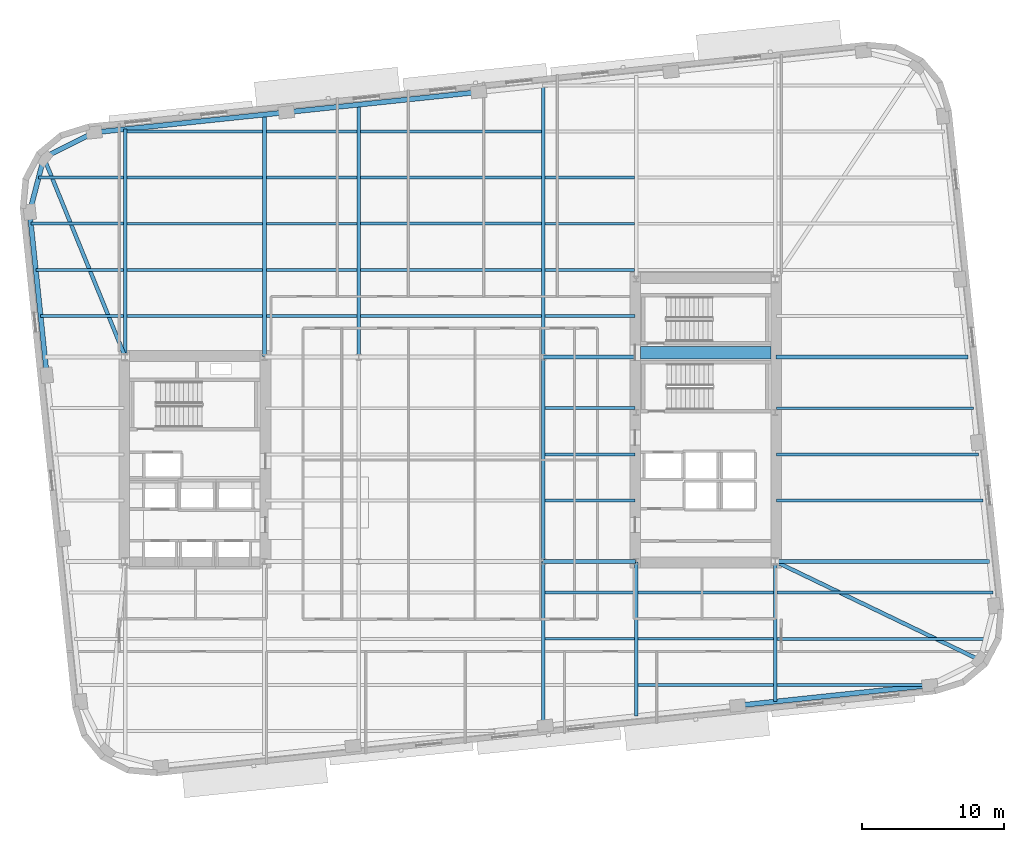
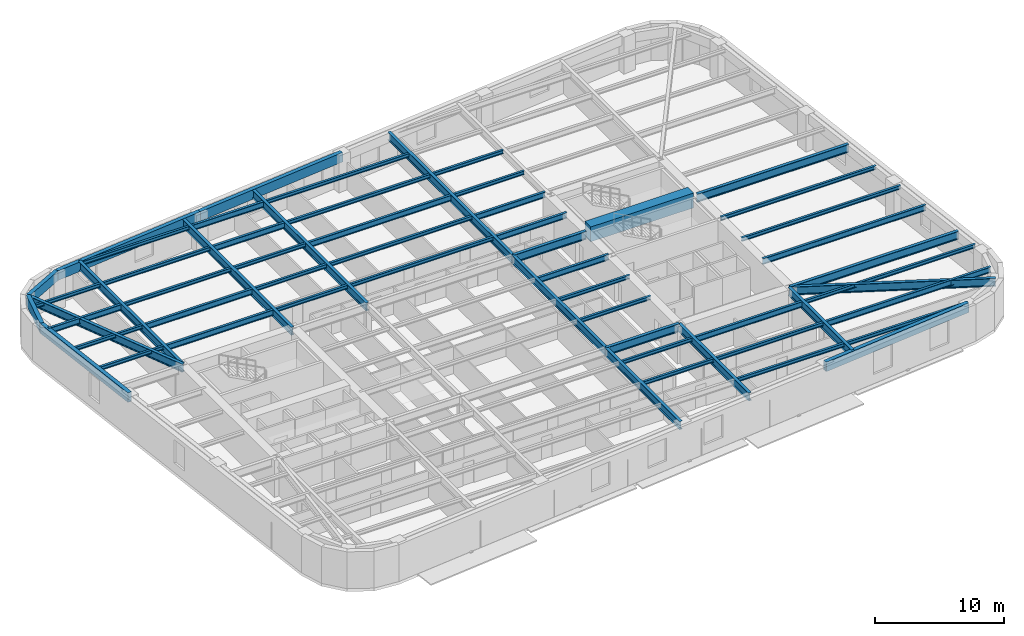
# One storey, part 2 of 13: 58 beams.
"""IFC4 building model written with IfcOpenShell, lengths in metres."""

from ifc_helpers import new_model, si_unit, direction, frame, origin, origin_2d, place, context, subcontext, project, spatial, rectangle, hollow_rectangle, i_section, extrude, material, material_profile, profile_set, type_object, element, save


model = new_model("IFC4")

# Units and contexts
model_context = context("Model", 3, precision=1e-05, world=origin(), true_north=direction((0.0, 1.0)))
body_context = subcontext(model_context, "Body", "Model", "MODEL_VIEW")
ifc_project = project(units=[si_unit("LENGTHUNIT", "METRE"), si_unit("AREAUNIT", "SQUARE_METRE"), si_unit("VOLUMEUNIT", "CUBIC_METRE"), si_unit("PLANEANGLEUNIT", "RADIAN"), si_unit("MASSUNIT", "GRAM", prefix="KILO")], contexts=[model_context])

# Site, building, storey
site_placement = place(None, origin())
site = spatial("IfcSite", under=ifc_project, at=site_placement, CompositionType="ELEMENT")
building_placement = place(site_placement, origin())
building = spatial("IfcBuilding", under=site, at=building_placement, Name="Kolvaren Arena Tower", CompositionType="ELEMENT")
storey_placement = place(building_placement, frame((0.0, 0.0, 145.75)))
storey = spatial("IfcBuildingStorey", under=building, at=storey_placement, Name="L34", CompositionType="ELEMENT", Elevation=145.75)

# Beams
ifc_material_1 = material(Name="Steel CSA G40.21 350W", Category="steel")
ifc_material_profile_1 = material_profile(ifc_material_1, i_section(OverallWidth=0.2119140625, OverallDepth=0.54296875, WebThickness=0.01318359375, FlangeThickness=0.0244140625, FilletRadius=0.013916015625, at=origin_2d()), Name="W530x150")
ifc_profile_set_1 = profile_set([ifc_material_profile_1], Name="Steel CSA G40.21 350W")
beam_type_1 = type_object("IfcBeamType", Name="BEAM-F1", PredefinedType="BEAM", material=ifc_profile_set_1)
beam_1_placement = place(storey_placement, frame((60.485107421875, 14.0, 3.20849609375), z_axis=(1.0, 0.0, 0.0), x_axis=(0.0, 1.0, 0.0)))
element("IfcBeam", 1, at=beam_1_placement, inside=storey, type_object=beam_type_1, Name="Composite Floor Beam (L34)", PredefinedType="BEAM", context=body_context, shape_type="SweptSolid", body=[
    extrude(i_section(OverallWidth=0.2119140625, OverallDepth=0.54296875, WebThickness=0.01318359375, FlangeThickness=0.0244140625, FilletRadius=0.013916015625, at=origin_2d()), origin(), (0.0, 0.0, 1.0), 14.69677734375),
])
beam_2_placement = place(storey_placement, frame((50.68505859375, 17.25, 3.20849609375), z_axis=(1.0, 0.0, 0.0), x_axis=(0.0, 1.0, 0.0)))
element("IfcBeam", 2, at=beam_2_placement, inside=storey, type_object=beam_type_1, Name="Composite Floor Beam (L34)", PredefinedType="BEAM", context=body_context, shape_type="SweptSolid", body=[
    extrude(i_section(OverallWidth=0.2119140625, OverallDepth=0.54296875, WebThickness=0.01318359375, FlangeThickness=0.0244140625, FilletRadius=0.013916015625, at=origin_2d()), origin(), (0.0, 0.0, 1.0), 9.530029296875),
])
beam_3_placement = place(storey_placement, frame((60.445068359375, 23.75, 3.20849609375), z_axis=(1.0, 0.0, 0.0), x_axis=(0.0, 1.0, 0.0)))
element("IfcBeam", 3, at=beam_3_placement, inside=storey, type_object=beam_type_1, Name="Composite Floor Beam (L34)", PredefinedType="BEAM", context=body_context, shape_type="SweptSolid", body=[
    extrude(i_section(OverallWidth=0.2119140625, OverallDepth=0.54296875, WebThickness=0.01318359375, FlangeThickness=0.0244140625, FilletRadius=0.013916015625, at=origin_2d()), origin(), (0.0, 0.0, 1.0), 14.56103515625),
])
beam_4_placement = place(storey_placement, frame((44.135009765625, 30.25, 3.20849609375), z_axis=(1.0, 0.0, 0.0), x_axis=(0.0, 1.0, 0.0)))
element("IfcBeam", 4, at=beam_4_placement, inside=storey, type_object=beam_type_1, Name="Composite Floor Beam (L34)", PredefinedType="BEAM", context=body_context, shape_type="SweptSolid", body=[
    extrude(i_section(OverallWidth=0.2119140625, OverallDepth=0.54296875, WebThickness=0.01318359375, FlangeThickness=0.0244140625, FilletRadius=0.013916015625, at=origin_2d()), origin(), (0.0, 0.0, 1.0), 6.320068359375),
])
beam_5_placement = place(storey_placement, frame((14.68505859375, 36.75, 3.20849609375), z_axis=(1.0, 0.0, 0.0), x_axis=(0.0, 1.0, 0.0)))
element("IfcBeam", 5, at=beam_5_placement, inside=storey, type_object=beam_type_1, Name="Composite Floor Beam (L34)", PredefinedType="BEAM", context=body_context, shape_type="SweptSolid", body=[
    extrude(i_section(OverallWidth=0.2119140625, OverallDepth=0.54296875, WebThickness=0.01318359375, FlangeThickness=0.0244140625, FilletRadius=0.013916015625, at=origin_2d()), origin(), (0.0, 0.0, 1.0), 9.530029296875),
])
beam_6_placement = place(storey_placement, frame((44.135009765625, 36.75, 3.20849609375), z_axis=(1.0, 0.0, 0.0), x_axis=(0.0, 1.0, 0.0)))
element("IfcBeam", 6, at=beam_6_placement, inside=storey, type_object=beam_type_1, Name="Composite Floor Beam (L34)", PredefinedType="BEAM", context=body_context, shape_type="SweptSolid", body=[
    extrude(i_section(OverallWidth=0.2119140625, OverallDepth=0.54296875, WebThickness=0.01318359375, FlangeThickness=0.0244140625, FilletRadius=0.013916015625, at=origin_2d()), origin(), (0.0, 0.0, 1.0), 6.320068359375),
])
beam_7_placement = place(storey_placement, frame((14.68505859375, 40.0, 3.20849609375), z_axis=(1.0, 0.0, 0.0), x_axis=(0.0, 1.0, 0.0)))
element("IfcBeam", 7, at=beam_7_placement, inside=storey, type_object=beam_type_1, Name="Composite Floor Beam (L34)", PredefinedType="BEAM", context=body_context, shape_type="SweptSolid", body=[
    extrude(i_section(OverallWidth=0.2119140625, OverallDepth=0.54296875, WebThickness=0.01318359375, FlangeThickness=0.0244140625, FilletRadius=0.013916015625, at=origin_2d()), origin(), (0.0, 0.0, 1.0), 9.530029296875),
])
beam_8_placement = place(storey_placement, frame((44.135009765625, 40.0, 3.20849609375), z_axis=(1.0, 0.0, 0.0), x_axis=(0.0, 1.0, 0.0)))
element("IfcBeam", 8, at=beam_8_placement, inside=storey, type_object=beam_type_1, Name="Composite Floor Beam (L34)", PredefinedType="BEAM", context=body_context, shape_type="SweptSolid", body=[
    extrude(i_section(OverallWidth=0.2119140625, OverallDepth=0.54296875, WebThickness=0.01318359375, FlangeThickness=0.0244140625, FilletRadius=0.013916015625, at=origin_2d()), origin(), (0.0, 0.0, 1.0), 6.280029296875),
])
beam_9_placement = place(storey_placement, frame((7.900146484375, 43.25, 3.20849609375), z_axis=(1.0, 0.0, 0.0), x_axis=(0.0, 1.0, 0.0)))
element("IfcBeam", 9, at=beam_9_placement, inside=storey, type_object=beam_type_1, Name="Composite Floor Beam (L34)", PredefinedType="BEAM", context=body_context, shape_type="SweptSolid", body=[
    extrude(i_section(OverallWidth=0.2119140625, OverallDepth=0.54296875, WebThickness=0.01318359375, FlangeThickness=0.0244140625, FilletRadius=0.013916015625, at=origin_2d()), origin(), (0.0, 0.0, 1.0), 6.514892578125),
])
beam_10_placement = place(storey_placement, frame((31.135009765625, 43.25, 3.20849609375), z_axis=(1.0, 0.0, 0.0), x_axis=(0.0, 1.0, 0.0)))
element("IfcBeam", 10, at=beam_10_placement, inside=storey, type_object=beam_type_1, Name="Composite Floor Beam (L34)", PredefinedType="BEAM", context=body_context, shape_type="SweptSolid", body=[
    extrude(i_section(OverallWidth=0.2119140625, OverallDepth=0.54296875, WebThickness=0.01318359375, FlangeThickness=0.0244140625, FilletRadius=0.013916015625, at=origin_2d()), origin(), (0.0, 0.0, 1.0), 12.72998046875),
])
for number, where, z_axis, x_axis, name in (
    (11, (24.485107421875, 46.5, 3.20849609375), (1.0, 0.0, 0.0), (0.0, 1.0, 0.0), "Composite Floor Beam (L34)"),
    (12, (24.485107421875, 49.75, 3.20849609375), (1.0, 0.0, 0.0), (0.0, 1.0, 0.0), "Composite Floor Beam (L34)"),
):
    element("IfcBeam", number, at=place(storey_placement, frame(where, z_axis=z_axis, x_axis=x_axis)), inside=storey, type_object=beam_type_1, Name=name, PredefinedType="BEAM", context=body_context, shape_type="SweptSolid", body=[
        extrude(i_section(OverallWidth=0.2119140625, OverallDepth=0.54296875, WebThickness=0.01318359375, FlangeThickness=0.0244140625, FilletRadius=0.013916015625, at=origin_2d()), origin(), (0.0, 0.0, 1.0), 6.3798828125),
    ])
ifc_material_2 = material(Name="Concrete 75 MPa", Category="concrete")
ifc_material_profile_2 = material_profile(ifc_material_2, rectangle(XDim=0.89990234375, YDim=1.39990234375, at=origin_2d()), Name="RC-900x1400")
ifc_profile_set_2 = profile_set([ifc_material_profile_2], Name="Concrete 75 MPa")
beam_type_2 = type_object("IfcBeamType", Name="CB-CORE-1", PredefinedType="BEAM", material=ifc_profile_set_2)
beam_11_placement = place(storey_placement, frame((50.85009765625, 34.14990234375, 3.050048828125), z_axis=(1.0, 0.0, 0.0), x_axis=(0.0, 1.0, 0.0)))
element("IfcBeam", 13, at=beam_11_placement, inside=storey, type_object=beam_type_2, Name="East Core Coupling Beam (L34)", PredefinedType="BEAM", context=body_context, shape_type="SweptSolid", body=[
    extrude(rectangle(XDim=0.89990234375, YDim=1.39990234375, at=origin_2d()), origin(), (0.0, 0.0, 1.0), 9.199951171875),
])
ifc_material_profile_3 = material_profile(ifc_material_1, i_section(OverallWidth=0.27001953125, OverallDepth=0.77294921875, WebThickness=0.019287109375, FlangeThickness=0.033447265625, FilletRadius=0.01806640625, at=origin_2d()), Name="W760x257")
ifc_profile_set_3 = profile_set([ifc_material_profile_3], Name="Steel CSA G40.21 350W")
beam_type_3 = type_object("IfcBeamType", Name="GIRD-T1", PredefinedType="BEAM", material=ifc_profile_set_3)
beam_12_placement = place(storey_placement, frame((74.790283203125, 12.49267578125, 3.093505859375), z_axis=(-0.900889626424, 0.43404824732, 0.0), x_axis=(-0.43404824732, -0.900889626424, 0.0)))
element("IfcBeam", 14, at=beam_12_placement, inside=storey, type_object=beam_type_3, Name="Corner Diagonal Tie Girder (L34)", PredefinedType="BEAM", context=body_context, shape_type="SweptSolid", body=[
    extrude(i_section(OverallWidth=0.27001953125, OverallDepth=0.77294921875, WebThickness=0.019287109375, FlangeThickness=0.033447265625, FilletRadius=0.01806640625, at=origin_2d()), origin(), (0.0, 0.0, 1.0), 16.02880859375),
])
beam_13_placement = place(storey_placement, frame((8.8095703125, 47.9072265625, 3.093505859375), z_axis=(0.378059288681, -0.925781385772, 0.0), x_axis=(0.925781385772, 0.378059288681, 0.0)))
element("IfcBeam", 15, at=beam_13_placement, inside=storey, type_object=beam_type_3, Name="Corner Diagonal Tie Girder (L34)", PredefinedType="BEAM", context=body_context, shape_type="SweptSolid", body=[
    extrude(i_section(OverallWidth=0.27001953125, OverallDepth=0.77294921875, WebThickness=0.019287109375, FlangeThickness=0.033447265625, FilletRadius=0.01806640625, at=origin_2d()), origin(), (0.0, 0.0, 1.0), 15.18408203125),
])
beam_14_placement = place(storey_placement, frame((44.0, 19.449951171875, 3.093505859375), z_axis=(1.0, 0.0, 0.0), x_axis=(0.0, 1.0, 0.0)))
element("IfcBeam", 16, at=beam_14_placement, inside=storey, type_object=beam_type_3, Name="Primary Floor Girder (L34)", PredefinedType="BEAM", context=body_context, shape_type="SweptSolid", body=[
    extrude(i_section(OverallWidth=0.27001953125, OverallDepth=0.77294921875, WebThickness=0.019287109375, FlangeThickness=0.033447265625, FilletRadius=0.01806640625, at=origin_2d()), origin(), (0.0, 0.0, 1.0), 6.4951171875),
])
beam_15_placement = place(storey_placement, frame((60.405029296875, 19.449951171875, 3.093505859375), z_axis=(1.0, 0.0, 0.0), x_axis=(0.0, 1.0, 0.0)))
element("IfcBeam", 17, at=beam_15_placement, inside=storey, type_object=beam_type_3, Name="Primary Floor Girder (L34)", PredefinedType="BEAM", context=body_context, shape_type="SweptSolid", body=[
    extrude(i_section(OverallWidth=0.27001953125, OverallDepth=0.77294921875, WebThickness=0.019287109375, FlangeThickness=0.033447265625, FilletRadius=0.01806640625, at=origin_2d()), origin(), (0.0, 0.0, 1.0), 15.052978515625),
])
beam_16_placement = place(storey_placement, frame((44.0, 33.85009765625, 3.093505859375), z_axis=(1.0, 0.0, 0.0), x_axis=(0.0, 1.0, 0.0)))
element("IfcBeam", 18, at=beam_16_placement, inside=storey, type_object=beam_type_3, Name="Primary Floor Girder (L34)", PredefinedType="BEAM", context=body_context, shape_type="SweptSolid", body=[
    extrude(i_section(OverallWidth=0.27001953125, OverallDepth=0.77294921875, WebThickness=0.019287109375, FlangeThickness=0.033447265625, FilletRadius=0.01806640625, at=origin_2d()), origin(), (0.0, 0.0, 1.0), 6.4951171875),
])
beam_17_placement = place(storey_placement, frame((60.405029296875, 33.85009765625, 3.093505859375), z_axis=(1.0, 0.0, 0.0), x_axis=(0.0, 1.0, 0.0)))
element("IfcBeam", 19, at=beam_17_placement, inside=storey, type_object=beam_type_3, Name="Primary Floor Girder (L34)", PredefinedType="BEAM", context=body_context, shape_type="SweptSolid", body=[
    extrude(i_section(OverallWidth=0.27001953125, OverallDepth=0.77294921875, WebThickness=0.019287109375, FlangeThickness=0.033447265625, FilletRadius=0.01806640625, at=origin_2d()), origin(), (0.0, 0.0, 1.0), 13.53955078125),
])
beam_18_placement = place(storey_placement, frame((14.550048828125, 33.905029296875, 3.093505859375), z_axis=(0.0, 1.0, 0.0), x_axis=(-1.0, 0.0, 0.0)))
element("IfcBeam", 20, at=beam_18_placement, inside=storey, type_object=beam_type_3, Name="Primary Floor Girder (L34)", PredefinedType="BEAM", context=body_context, shape_type="SweptSolid", body=[
    extrude(i_section(OverallWidth=0.27001953125, OverallDepth=0.77294921875, WebThickness=0.019287109375, FlangeThickness=0.033447265625, FilletRadius=0.01806640625, at=origin_2d()), origin(), (0.0, 0.0, 1.0), 16.004638671875),
])
beam_19_placement = place(storey_placement, frame((24.35009765625, 33.905029296875, 3.093505859375), z_axis=(0.0, 1.0, 0.0), x_axis=(-1.0, 0.0, 0.0)))
element("IfcBeam", 21, at=beam_19_placement, inside=storey, type_object=beam_type_3, Name="Primary Floor Girder (L34)", PredefinedType="BEAM", context=body_context, shape_type="SweptSolid", body=[
    extrude(i_section(OverallWidth=0.27001953125, OverallDepth=0.77294921875, WebThickness=0.019287109375, FlangeThickness=0.033447265625, FilletRadius=0.01806640625, at=origin_2d()), origin(), (0.0, 0.0, 1.0), 17.03466796875),
])
beam_20_placement = place(storey_placement, frame((31.0, 33.85009765625, 3.093505859375), z_axis=(0.0, 1.0, 0.0), x_axis=(-1.0, 0.0, 0.0)))
element("IfcBeam", 22, at=beam_20_placement, inside=storey, type_object=beam_type_3, Name="Primary Floor Girder (L34)", PredefinedType="BEAM", context=body_context, shape_type="SweptSolid", body=[
    extrude(i_section(OverallWidth=0.27001953125, OverallDepth=0.77294921875, WebThickness=0.019287109375, FlangeThickness=0.033447265625, FilletRadius=0.01806640625, at=origin_2d()), origin(), (0.0, 0.0, 1.0), 17.788330078125),
])
beam_21_placement = place(storey_placement, frame((44.0, 7.857666015625, 3.093505859375), z_axis=(0.0, 1.0, 0.0), x_axis=(-1.0, 0.0, 0.0)))
element("IfcBeam", 23, at=beam_21_placement, inside=storey, type_object=beam_type_3, Name="Primary Floor Girder (L34)", PredefinedType="BEAM", context=body_context, shape_type="SweptSolid", body=[
    extrude(i_section(OverallWidth=0.27001953125, OverallDepth=0.77294921875, WebThickness=0.019287109375, FlangeThickness=0.033447265625, FilletRadius=0.01806640625, at=origin_2d()), origin(), (0.0, 0.0, 1.0), 11.59228515625),
])
beam_22_placement = place(storey_placement, frame((44.0, 19.449951171875, 3.093505859375), z_axis=(0.0, 1.0, 0.0), x_axis=(-1.0, 0.0, 0.0)))
element("IfcBeam", 24, at=beam_22_placement, inside=storey, type_object=beam_type_3, Name="Primary Floor Girder (L34)", PredefinedType="BEAM", context=body_context, shape_type="SweptSolid", body=[
    extrude(i_section(OverallWidth=0.27001953125, OverallDepth=0.77294921875, WebThickness=0.019287109375, FlangeThickness=0.033447265625, FilletRadius=0.01806640625, at=origin_2d()), origin(), (0.0, 0.0, 1.0), 14.400146484375),
])
beam_23_placement = place(storey_placement, frame((44.0, 33.85009765625, 3.093505859375), z_axis=(0.0, 1.0, 0.0), x_axis=(-1.0, 0.0, 0.0)))
element("IfcBeam", 25, at=beam_23_placement, inside=storey, type_object=beam_type_3, Name="Primary Floor Girder (L34)", PredefinedType="BEAM", context=body_context, shape_type="SweptSolid", body=[
    extrude(i_section(OverallWidth=0.27001953125, OverallDepth=0.77294921875, WebThickness=0.019287109375, FlangeThickness=0.033447265625, FilletRadius=0.01806640625, at=origin_2d()), origin(), (0.0, 0.0, 1.0), 19.15478515625),
])
beam_24_placement = place(storey_placement, frame((50.550048828125, 8.5458984375, 3.093505859375), z_axis=(0.0, 1.0, 0.0), x_axis=(-1.0, 0.0, 0.0)))
element("IfcBeam", 26, at=beam_24_placement, inside=storey, type_object=beam_type_3, Name="Primary Floor Girder (L34)", PredefinedType="BEAM", context=body_context, shape_type="SweptSolid", body=[
    extrude(i_section(OverallWidth=0.27001953125, OverallDepth=0.77294921875, WebThickness=0.019287109375, FlangeThickness=0.033447265625, FilletRadius=0.01806640625, at=origin_2d()), origin(), (0.0, 0.0, 1.0), 10.84912109375),
])
beam_25_placement = place(storey_placement, frame((60.35009765625, 9.575927734375, 3.093505859375), z_axis=(0.0, 1.0, 0.0), x_axis=(-1.0, 0.0, 0.0)))
element("IfcBeam", 27, at=beam_25_placement, inside=storey, type_object=beam_type_3, Name="Primary Floor Girder (L34)", PredefinedType="BEAM", context=body_context, shape_type="SweptSolid", body=[
    extrude(i_section(OverallWidth=0.27001953125, OverallDepth=0.77294921875, WebThickness=0.019287109375, FlangeThickness=0.033447265625, FilletRadius=0.01806640625, at=origin_2d()), origin(), (0.0, 0.0, 1.0), 9.819091796875),
])
ifc_material_profile_4 = material_profile(ifc_material_1, i_section(OverallWidth=0.202880859375, OverallDepth=0.346923828125, WebThickness=0.0078125, FlangeThickness=0.013427734375, FilletRadius=0.010986328125, at=origin_2d()), Name="W360x64")
ifc_profile_set_4 = profile_set([ifc_material_profile_4], Name="Steel CSA G40.21 350W")
beam_type_4 = type_object("IfcBeamType", Name="JOIST-01", PredefinedType="JOIST", material=ifc_profile_set_4)
beam_26_placement = place(storey_placement, frame((50.68505859375, 10.75, 3.306396484375), z_axis=(1.0, 0.0, 0.0), x_axis=(0.0, 1.0, 0.0)))
element("IfcBeam", 28, at=beam_26_placement, inside=storey, type_object=beam_type_4, Name="Composite Floor Joist (L34)", PredefinedType="JOIST", context=body_context, shape_type="SweptSolid", body=[
    extrude(i_section(OverallWidth=0.202880859375, OverallDepth=0.346923828125, WebThickness=0.0078125, FlangeThickness=0.013427734375, FilletRadius=0.010986328125, at=origin_2d()), origin(), (0.0, 0.0, 1.0), 9.530029296875),
])
beam_27_placement = place(storey_placement, frame((60.485107421875, 10.75, 3.306396484375), z_axis=(1.0, 0.0, 0.0), x_axis=(0.0, 1.0, 0.0)))
element("IfcBeam", 29, at=beam_27_placement, inside=storey, type_object=beam_type_4, Name="Composite Floor Joist (L34)", PredefinedType="JOIST", context=body_context, shape_type="SweptSolid", body=[
    extrude(i_section(OverallWidth=0.202880859375, OverallDepth=0.346923828125, WebThickness=0.0078125, FlangeThickness=0.013427734375, FilletRadius=0.010986328125, at=origin_2d()), origin(), (0.0, 0.0, 1.0), 10.819580078125),
])
beam_28_placement = place(storey_placement, frame((44.135009765625, 14.0, 3.306396484375), z_axis=(1.0, 0.0, 0.0), x_axis=(0.0, 1.0, 0.0)))
element("IfcBeam", 30, at=beam_28_placement, inside=storey, type_object=beam_type_4, Name="Composite Floor Joist (L34)", PredefinedType="JOIST", context=body_context, shape_type="SweptSolid", body=[
    extrude(i_section(OverallWidth=0.202880859375, OverallDepth=0.346923828125, WebThickness=0.0078125, FlangeThickness=0.013427734375, FilletRadius=0.010986328125, at=origin_2d()), origin(), (0.0, 0.0, 1.0), 6.280029296875),
])
beam_29_placement = place(storey_placement, frame((50.68505859375, 14.0, 3.306396484375), z_axis=(1.0, 0.0, 0.0), x_axis=(0.0, 1.0, 0.0)))
element("IfcBeam", 31, at=beam_29_placement, inside=storey, type_object=beam_type_4, Name="Composite Floor Joist (L34)", PredefinedType="JOIST", context=body_context, shape_type="SweptSolid", body=[
    extrude(i_section(OverallWidth=0.202880859375, OverallDepth=0.346923828125, WebThickness=0.0078125, FlangeThickness=0.013427734375, FilletRadius=0.010986328125, at=origin_2d()), origin(), (0.0, 0.0, 1.0), 9.530029296875),
])
beam_30_placement = place(storey_placement, frame((44.135009765625, 17.25, 3.306396484375), z_axis=(1.0, 0.0, 0.0), x_axis=(0.0, 1.0, 0.0)))
element("IfcBeam", 32, at=beam_30_placement, inside=storey, type_object=beam_type_4, Name="Composite Floor Joist (L34)", PredefinedType="JOIST", context=body_context, shape_type="SweptSolid", body=[
    extrude(i_section(OverallWidth=0.202880859375, OverallDepth=0.346923828125, WebThickness=0.0078125, FlangeThickness=0.013427734375, FilletRadius=0.010986328125, at=origin_2d()), origin(), (0.0, 0.0, 1.0), 6.280029296875),
])
beam_31_placement = place(storey_placement, frame((60.485107421875, 17.25, 3.306396484375), z_axis=(1.0, 0.0, 0.0), x_axis=(0.0, 1.0, 0.0)))
element("IfcBeam", 33, at=beam_31_placement, inside=storey, type_object=beam_type_4, Name="Composite Floor Joist (L34)", PredefinedType="JOIST", context=body_context, shape_type="SweptSolid", body=[
    extrude(i_section(OverallWidth=0.202880859375, OverallDepth=0.346923828125, WebThickness=0.0078125, FlangeThickness=0.013427734375, FilletRadius=0.010986328125, at=origin_2d()), origin(), (0.0, 0.0, 1.0), 15.2041015625),
])
for number, where, z_axis, x_axis, name in (
    (34, (44.135009765625, 23.75, 3.306396484375), (1.0, 0.0, 0.0), (0.0, 1.0, 0.0), "Composite Floor Joist (L34)"),
    (35, (44.135009765625, 27.0, 3.306396484375), (1.0, 0.0, 0.0), (0.0, 1.0, 0.0), "Composite Floor Joist (L34)"),
):
    element("IfcBeam", number, at=place(storey_placement, frame(where, z_axis=z_axis, x_axis=x_axis)), inside=storey, type_object=beam_type_4, Name=name, PredefinedType="JOIST", context=body_context, shape_type="SweptSolid", body=[
        extrude(i_section(OverallWidth=0.202880859375, OverallDepth=0.346923828125, WebThickness=0.0078125, FlangeThickness=0.013427734375, FilletRadius=0.010986328125, at=origin_2d()), origin(), (0.0, 0.0, 1.0), 6.320068359375),
    ])
beam_32_placement = place(storey_placement, frame((60.445068359375, 27.0, 3.306396484375), z_axis=(1.0, 0.0, 0.0), x_axis=(0.0, 1.0, 0.0)))
element("IfcBeam", 36, at=beam_32_placement, inside=storey, type_object=beam_type_4, Name="Composite Floor Joist (L34)", PredefinedType="JOIST", context=body_context, shape_type="SweptSolid", body=[
    extrude(i_section(OverallWidth=0.202880859375, OverallDepth=0.346923828125, WebThickness=0.0078125, FlangeThickness=0.013427734375, FilletRadius=0.010986328125, at=origin_2d()), origin(), (0.0, 0.0, 1.0), 14.219482421875),
])
beam_33_placement = place(storey_placement, frame((60.445068359375, 30.25, 3.306396484375), z_axis=(1.0, 0.0, 0.0), x_axis=(0.0, 1.0, 0.0)))
element("IfcBeam", 37, at=beam_33_placement, inside=storey, type_object=beam_type_4, Name="Composite Floor Joist (L34)", PredefinedType="JOIST", context=body_context, shape_type="SweptSolid", body=[
    extrude(i_section(OverallWidth=0.202880859375, OverallDepth=0.346923828125, WebThickness=0.0078125, FlangeThickness=0.013427734375, FilletRadius=0.010986328125, at=origin_2d()), origin(), (0.0, 0.0, 1.0), 13.8779296875),
])
beam_34_placement = place(storey_placement, frame((8.58349609375, 36.75, 3.306396484375), z_axis=(1.0, 0.0, 0.0), x_axis=(0.0, 1.0, 0.0)))
element("IfcBeam", 38, at=beam_34_placement, inside=storey, type_object=beam_type_4, Name="Composite Floor Joist (L34)", PredefinedType="JOIST", context=body_context, shape_type="SweptSolid", body=[
    extrude(i_section(OverallWidth=0.202880859375, OverallDepth=0.346923828125, WebThickness=0.0078125, FlangeThickness=0.013427734375, FilletRadius=0.010986328125, at=origin_2d()), origin(), (0.0, 0.0, 1.0), 5.83154296875),
])
beam_35_placement = place(storey_placement, frame((24.485107421875, 36.75, 3.306396484375), z_axis=(1.0, 0.0, 0.0), x_axis=(0.0, 1.0, 0.0)))
element("IfcBeam", 39, at=beam_35_placement, inside=storey, type_object=beam_type_4, Name="Composite Floor Joist (L34)", PredefinedType="JOIST", context=body_context, shape_type="SweptSolid", body=[
    extrude(i_section(OverallWidth=0.202880859375, OverallDepth=0.346923828125, WebThickness=0.0078125, FlangeThickness=0.013427734375, FilletRadius=0.010986328125, at=origin_2d()), origin(), (0.0, 0.0, 1.0), 6.3798828125),
])
beam_36_placement = place(storey_placement, frame((31.135009765625, 36.75, 3.306396484375), z_axis=(1.0, 0.0, 0.0), x_axis=(0.0, 1.0, 0.0)))
element("IfcBeam", 40, at=beam_36_placement, inside=storey, type_object=beam_type_4, Name="Composite Floor Joist (L34)", PredefinedType="JOIST", context=body_context, shape_type="SweptSolid", body=[
    extrude(i_section(OverallWidth=0.202880859375, OverallDepth=0.346923828125, WebThickness=0.0078125, FlangeThickness=0.013427734375, FilletRadius=0.010986328125, at=origin_2d()), origin(), (0.0, 0.0, 1.0), 12.72998046875),
])
beam_37_placement = place(storey_placement, frame((8.24169921875, 40.0, 3.306396484375), z_axis=(1.0, 0.0, 0.0), x_axis=(0.0, 1.0, 0.0)))
element("IfcBeam", 41, at=beam_37_placement, inside=storey, type_object=beam_type_4, Name="Composite Floor Joist (L34)", PredefinedType="JOIST", context=body_context, shape_type="SweptSolid", body=[
    extrude(i_section(OverallWidth=0.202880859375, OverallDepth=0.346923828125, WebThickness=0.0078125, FlangeThickness=0.013427734375, FilletRadius=0.010986328125, at=origin_2d()), origin(), (0.0, 0.0, 1.0), 6.17333984375),
])
beam_38_placement = place(storey_placement, frame((24.485107421875, 40.0, 3.306396484375), z_axis=(1.0, 0.0, 0.0), x_axis=(0.0, 1.0, 0.0)))
element("IfcBeam", 42, at=beam_38_placement, inside=storey, type_object=beam_type_4, Name="Composite Floor Joist (L34)", PredefinedType="JOIST", context=body_context, shape_type="SweptSolid", body=[
    extrude(i_section(OverallWidth=0.202880859375, OverallDepth=0.346923828125, WebThickness=0.0078125, FlangeThickness=0.013427734375, FilletRadius=0.010986328125, at=origin_2d()), origin(), (0.0, 0.0, 1.0), 6.3798828125),
])
beam_39_placement = place(storey_placement, frame((31.135009765625, 40.0, 3.306396484375), z_axis=(1.0, 0.0, 0.0), x_axis=(0.0, 1.0, 0.0)))
element("IfcBeam", 43, at=beam_39_placement, inside=storey, type_object=beam_type_4, Name="Composite Floor Joist (L34)", PredefinedType="JOIST", context=body_context, shape_type="SweptSolid", body=[
    extrude(i_section(OverallWidth=0.202880859375, OverallDepth=0.346923828125, WebThickness=0.0078125, FlangeThickness=0.013427734375, FilletRadius=0.010986328125, at=origin_2d()), origin(), (0.0, 0.0, 1.0), 12.72998046875),
])
beam_40_placement = place(storey_placement, frame((14.68505859375, 43.25, 3.306396484375), z_axis=(1.0, 0.0, 0.0), x_axis=(0.0, 1.0, 0.0)))
element("IfcBeam", 44, at=beam_40_placement, inside=storey, type_object=beam_type_4, Name="Composite Floor Joist (L34)", PredefinedType="JOIST", context=body_context, shape_type="SweptSolid", body=[
    extrude(i_section(OverallWidth=0.202880859375, OverallDepth=0.346923828125, WebThickness=0.0078125, FlangeThickness=0.013427734375, FilletRadius=0.010986328125, at=origin_2d()), origin(), (0.0, 0.0, 1.0), 9.530029296875),
])
beam_41_placement = place(storey_placement, frame((24.485107421875, 43.25, 3.306396484375), z_axis=(1.0, 0.0, 0.0), x_axis=(0.0, 1.0, 0.0)))
element("IfcBeam", 45, at=beam_41_placement, inside=storey, type_object=beam_type_4, Name="Composite Floor Joist (L34)", PredefinedType="JOIST", context=body_context, shape_type="SweptSolid", body=[
    extrude(i_section(OverallWidth=0.202880859375, OverallDepth=0.346923828125, WebThickness=0.0078125, FlangeThickness=0.013427734375, FilletRadius=0.010986328125, at=origin_2d()), origin(), (0.0, 0.0, 1.0), 6.3798828125),
])
beam_42_placement = place(storey_placement, frame((44.135009765625, 43.25, 3.306396484375), z_axis=(1.0, 0.0, 0.0), x_axis=(0.0, 1.0, 0.0)))
element("IfcBeam", 46, at=beam_42_placement, inside=storey, type_object=beam_type_4, Name="Composite Floor Joist (L34)", PredefinedType="JOIST", context=body_context, shape_type="SweptSolid", body=[
    extrude(i_section(OverallWidth=0.202880859375, OverallDepth=0.346923828125, WebThickness=0.0078125, FlangeThickness=0.013427734375, FilletRadius=0.010986328125, at=origin_2d()), origin(), (0.0, 0.0, 1.0), 6.280029296875),
])
beam_43_placement = place(storey_placement, frame((8.444091796875, 46.5, 3.306396484375), z_axis=(1.0, 0.0, 0.0), x_axis=(0.0, 1.0, 0.0)))
element("IfcBeam", 47, at=beam_43_placement, inside=storey, type_object=beam_type_4, Name="Composite Floor Joist (L34)", PredefinedType="JOIST", context=body_context, shape_type="SweptSolid", body=[
    extrude(i_section(OverallWidth=0.202880859375, OverallDepth=0.346923828125, WebThickness=0.0078125, FlangeThickness=0.013427734375, FilletRadius=0.010986328125, at=origin_2d()), origin(), (0.0, 0.0, 1.0), 5.970947265625),
])
beam_44_placement = place(storey_placement, frame((14.68505859375, 46.5, 3.306396484375), z_axis=(1.0, 0.0, 0.0), x_axis=(0.0, 1.0, 0.0)))
element("IfcBeam", 48, at=beam_44_placement, inside=storey, type_object=beam_type_4, Name="Composite Floor Joist (L34)", PredefinedType="JOIST", context=body_context, shape_type="SweptSolid", body=[
    extrude(i_section(OverallWidth=0.202880859375, OverallDepth=0.346923828125, WebThickness=0.0078125, FlangeThickness=0.013427734375, FilletRadius=0.010986328125, at=origin_2d()), origin(), (0.0, 0.0, 1.0), 9.530029296875),
])
beam_45_placement = place(storey_placement, frame((31.135009765625, 46.5, 3.306396484375), z_axis=(1.0, 0.0, 0.0), x_axis=(0.0, 1.0, 0.0)))
element("IfcBeam", 49, at=beam_45_placement, inside=storey, type_object=beam_type_4, Name="Composite Floor Joist (L34)", PredefinedType="JOIST", context=body_context, shape_type="SweptSolid", body=[
    extrude(i_section(OverallWidth=0.202880859375, OverallDepth=0.346923828125, WebThickness=0.0078125, FlangeThickness=0.013427734375, FilletRadius=0.010986328125, at=origin_2d()), origin(), (0.0, 0.0, 1.0), 12.72998046875),
])
beam_46_placement = place(storey_placement, frame((44.135009765625, 46.5, 3.306396484375), z_axis=(1.0, 0.0, 0.0), x_axis=(0.0, 1.0, 0.0)))
element("IfcBeam", 50, at=beam_46_placement, inside=storey, type_object=beam_type_4, Name="Composite Floor Joist (L34)", PredefinedType="JOIST", context=body_context, shape_type="SweptSolid", body=[
    extrude(i_section(OverallWidth=0.202880859375, OverallDepth=0.346923828125, WebThickness=0.0078125, FlangeThickness=0.013427734375, FilletRadius=0.010986328125, at=origin_2d()), origin(), (0.0, 0.0, 1.0), 6.280029296875),
])
beam_47_placement = place(storey_placement, frame((14.68505859375, 49.75, 3.306396484375), z_axis=(1.0, 0.0, 0.0), x_axis=(0.0, 1.0, 0.0)))
element("IfcBeam", 51, at=beam_47_placement, inside=storey, type_object=beam_type_4, Name="Composite Floor Joist (L34)", PredefinedType="JOIST", context=body_context, shape_type="SweptSolid", body=[
    extrude(i_section(OverallWidth=0.202880859375, OverallDepth=0.346923828125, WebThickness=0.0078125, FlangeThickness=0.013427734375, FilletRadius=0.010986328125, at=origin_2d()), origin(), (0.0, 0.0, 1.0), 9.530029296875),
])
beam_48_placement = place(storey_placement, frame((31.135009765625, 49.75, 3.306396484375), z_axis=(1.0, 0.0, 0.0), x_axis=(0.0, 1.0, 0.0)))
element("IfcBeam", 52, at=beam_48_placement, inside=storey, type_object=beam_type_4, Name="Composite Floor Joist (L34)", PredefinedType="JOIST", context=body_context, shape_type="SweptSolid", body=[
    extrude(i_section(OverallWidth=0.202880859375, OverallDepth=0.346923828125, WebThickness=0.0078125, FlangeThickness=0.013427734375, FilletRadius=0.010986328125, at=origin_2d()), origin(), (0.0, 0.0, 1.0), 12.72998046875),
])
ifc_material_3 = material(Name="Steel CSA G40.21 350WT", Category="steel")
ifc_material_profile_5 = material_profile(ifc_material_3, hollow_rectangle(XDim=0.35009765625, YDim=0.89990234375, WallThickness=0.02001953125, at=origin_2d()), Name="HSS 900x350x20")
ifc_profile_set_5 = profile_set([ifc_material_profile_5], Name="Steel CSA G40.21 350WT")
beam_type_5 = type_object("IfcBeamType", Name="SPAND-01", PredefinedType="SPANDREL", material=ifc_profile_set_5)
for number, where, z_axis, x_axis, name in (
    (53, (57.697021484375, 9.297119140625, 3.030029296875), (0.994520955135, 0.104537408603, 0.0), (-0.104537408603, 0.994520955135, 0.0), "Perimeter Spandrel Beam (L34)"),
    (54, (39.453369140625, 52.527099609375, 3.030029296875), (-0.994520955135, -0.104537408603, 0.0), (0.104537408603, -0.994520955135, 0.0), "Perimeter Spandrel Beam (L34)"),
):
    element("IfcBeam", number, at=place(storey_placement, frame(where, z_axis=z_axis, x_axis=x_axis)), inside=storey, type_object=beam_type_5, Name=name, PredefinedType="SPANDREL", context=body_context, shape_type="SweptSolid", body=[
        extrude(hollow_rectangle(XDim=0.35009765625, YDim=0.89990234375, WallThickness=0.02001953125, at=origin_2d()), origin(), (0.0, 0.0, 1.0), 13.625),
    ])
beam_49_placement = place(storey_placement, frame((25.903076171875, 51.102783203125, 3.030029296875), z_axis=(-0.994523013632, -0.104517823154, 0.0), x_axis=(0.104517823154, -0.994523013632, 0.0)))
element("IfcBeam", 55, at=beam_49_placement, inside=storey, type_object=beam_type_5, Name="Perimeter Spandrel Beam (L34)", PredefinedType="SPANDREL", context=body_context, shape_type="SweptSolid", body=[
    extrude(hollow_rectangle(XDim=0.35009765625, YDim=0.89990234375, WallThickness=0.02001953125, at=origin_2d()), origin(), (0.0, 0.0, 1.0), 13.625244140625),
])
beam_50_placement = place(storey_placement, frame((12.3525390625, 49.6787109375, 3.030029296875), z_axis=(-0.894427191, -0.4472135955, 0.0), x_axis=(0.4472135955, -0.894427191, 0.0)))
element("IfcBeam", 56, at=beam_50_placement, inside=storey, type_object=beam_type_5, Name="Perimeter Spandrel Beam (L34)", PredefinedType="SPANDREL", context=body_context, shape_type="SweptSolid", body=[
    extrude(hollow_rectangle(XDim=0.35009765625, YDim=0.89990234375, WallThickness=0.02001953125, at=origin_2d()), origin(), (0.0, 0.0, 1.0), 3.961181640625),
])
beam_51_placement = place(storey_placement, frame((8.8095703125, 47.9072265625, 3.030029296875), z_axis=(-0.25141561169, -0.96787922294, 0.0), x_axis=(0.96787922294, -0.25141561169, 0.0)))
element("IfcBeam", 57, at=beam_51_placement, inside=storey, type_object=beam_type_5, Name="Perimeter Spandrel Beam (L34)", PredefinedType="SPANDREL", context=body_context, shape_type="SweptSolid", body=[
    extrude(hollow_rectangle(XDim=0.35009765625, YDim=0.89990234375, WallThickness=0.02001953125, at=origin_2d()), origin(), (0.0, 0.0, 1.0), 3.9609375),
])
beam_52_placement = place(storey_placement, frame((7.813720703125, 44.073486328125, 3.030029296875), z_axis=(0.104524366116, -0.994522325988, 0.0), x_axis=(0.994522325988, 0.104524366116, 0.0)))
element("IfcBeam", 58, at=beam_52_placement, inside=storey, type_object=beam_type_5, Name="Perimeter Spandrel Beam (L34)", PredefinedType="SPANDREL", context=body_context, shape_type="SweptSolid", body=[
    extrude(hollow_rectangle(XDim=0.35009765625, YDim=0.89990234375, WallThickness=0.02001953125, at=origin_2d()), origin(), (0.0, 0.0, 1.0), 11.566650390625),
])

save(model, "model.ifc")
